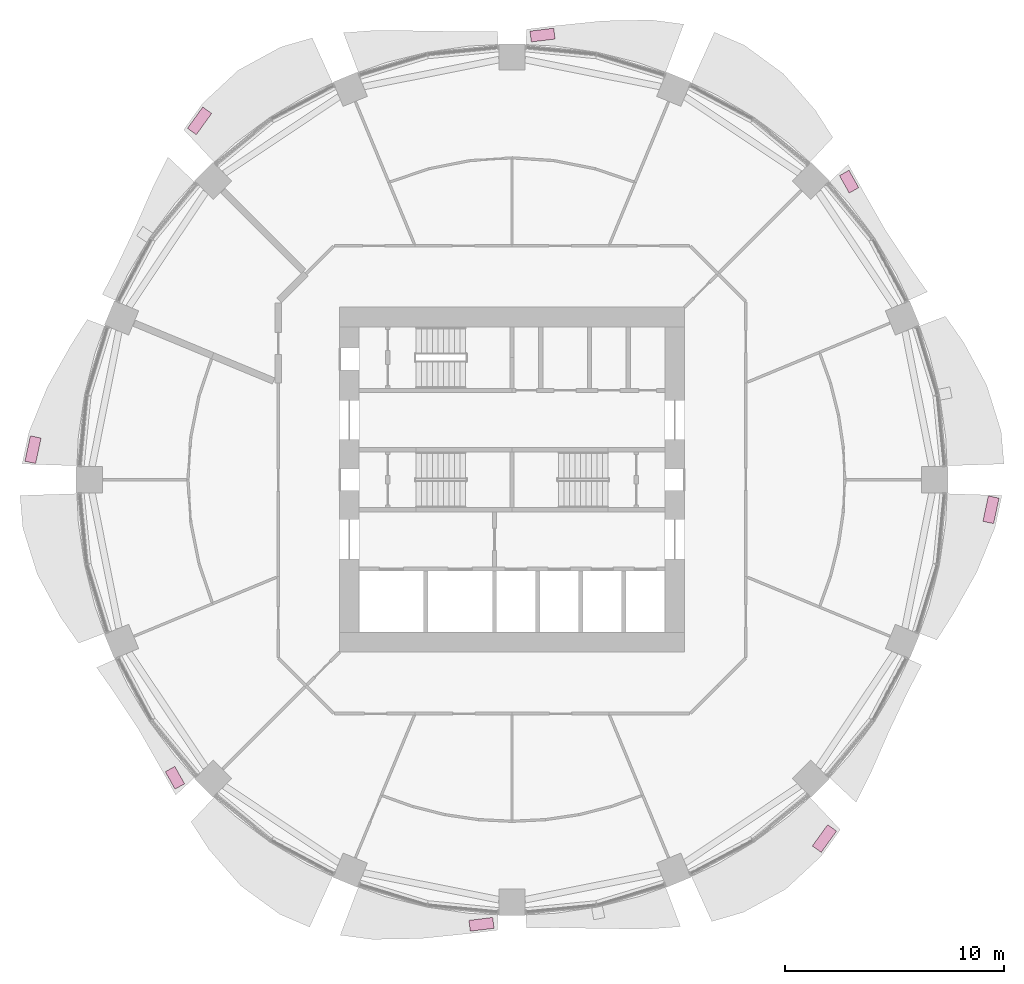
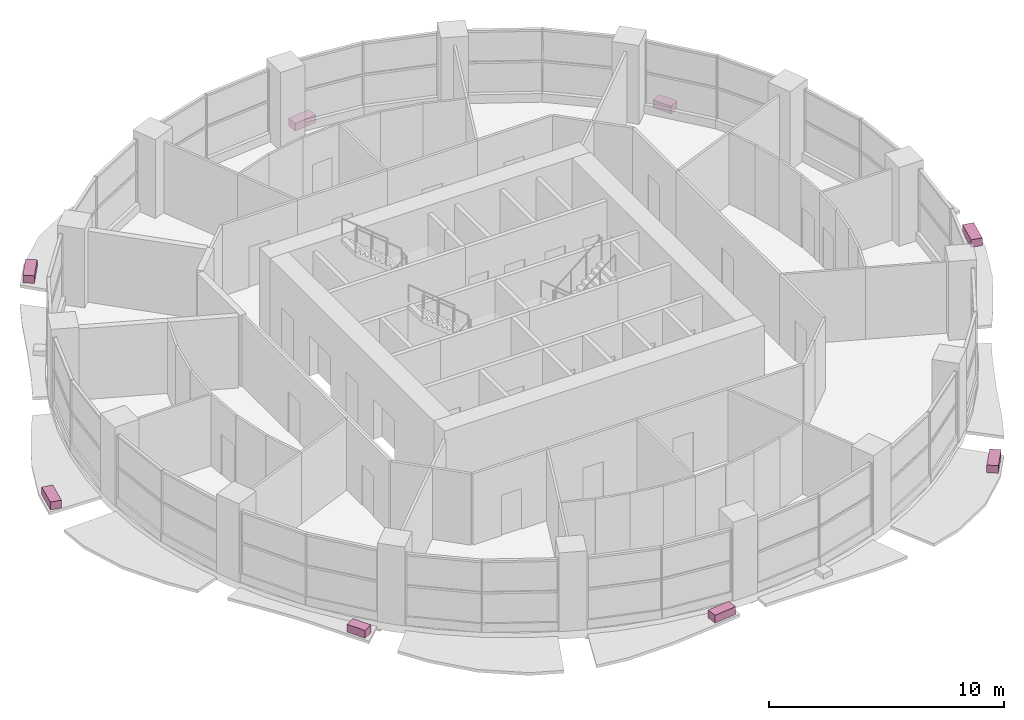
# One storey, part 14 of 14: 8 furniture elements.
"""IFC4 building model written with IfcOpenShell, lengths in metres."""

from ifc_helpers import new_model, si_unit, direction, frame, origin, origin_2d, place, context, subcontext, project, spatial, rectangle, extrude, material, type_object, element, save


model = new_model("IFC4")

# Units and contexts
model_context = context("Model", 3, precision=1e-05, world=origin(), true_north=direction((0.0, 1.0)))
body_context = subcontext(model_context, "Body", "Model", "MODEL_VIEW")
ifc_project = project(units=[si_unit("LENGTHUNIT", "METRE"), si_unit("AREAUNIT", "SQUARE_METRE"), si_unit("VOLUMEUNIT", "CUBIC_METRE"), si_unit("PLANEANGLEUNIT", "RADIAN"), si_unit("MASSUNIT", "GRAM", prefix="KILO")], contexts=[model_context])

# Site, building, storey
site_placement = place(None, origin())
site = spatial("IfcSite", under=ifc_project, at=site_placement, CompositionType="ELEMENT")
building_placement = place(site_placement, origin())
building = spatial("IfcBuilding", under=site, at=building_placement, Name="Polderwave Tower", CompositionType="ELEMENT")
storey_placement = place(building_placement, frame((0.0, 0.0, 14.39990234375)))
storey = spatial("IfcBuildingStorey", under=building, at=storey_placement, Name="L03", CompositionType="ELEMENT", Elevation=14.39990234375)

# Furniture
ifc_material = material(Name="Terracotta", Category="masonry")
furniture_type = type_object("IfcFurnitureType", Name="Terracotta planting trough", AssemblyPlace="NOTDEFINED", PredefinedType="USERDEFINED", material=ifc_material)
furniture_1_placement = place(storey_placement, frame((15.384521484375, 13.603759765625, -0.249755859375), z_axis=(0.0, 0.0, 1.0), x_axis=(-0.488811578968, 0.872389385692, 0.0)))
element("IfcFurniture", 1, at=furniture_1_placement, inside=storey, type_object=furniture_type, Name="Planting trough L03 2", ObjectType="PLANTER", PredefinedType="USERDEFINED", context=body_context, shape_type="SweptSolid", body=[
    extrude(rectangle(XDim=0.9111328125, YDim=0.5, at=origin_2d()), origin(), (0.0, 0.0, 1.0), 0.39990234375),
])
furniture_2_placement = place(storey_placement, frame((1.392822265625, 20.293212890625, -0.249755859375), z_axis=(0.0, 0.0, 1.0), x_axis=(-0.992665634747, -0.120892256133, 0.0)))
element("IfcFurniture", 2, at=furniture_2_placement, inside=storey, type_object=furniture_type, Name="Planting trough L03 4", ObjectType="PLANTER", PredefinedType="USERDEFINED", context=body_context, shape_type="SweptSolid", body=[
    extrude(rectangle(XDim=1.091552734375, YDim=0.5, at=origin_2d()), origin(), (0.0, 0.0, 1.0), 0.39990234375),
])
furniture_3_placement = place(storey_placement, frame((-14.26025390625, 16.377685546875, -0.249755859375), z_axis=(0.0, 0.0, 1.0), x_axis=(-0.5844989357, -0.811394475065, 0.0)))
element("IfcFurniture", 3, at=furniture_3_placement, inside=storey, type_object=furniture_type, Name="Planting trough L03 6", ObjectType="PLANTER", PredefinedType="USERDEFINED", context=body_context, shape_type="SweptSolid", body=[
    extrude(rectangle(XDim=1.1962890625, YDim=0.5, at=origin_2d()), origin(), (0.0, 0.0, 1.0), 0.39990234375),
])
furniture_4_placement = place(storey_placement, frame((-21.861572265625, 1.37158203125, -0.249755859375), z_axis=(0.0, 0.0, 1.0), x_axis=(-0.209123635506, -0.977889208997, 0.0)))
element("IfcFurniture", 4, at=furniture_4_placement, inside=storey, type_object=furniture_type, Name="Planting trough L03 8", ObjectType="PLANTER", PredefinedType="USERDEFINED", context=body_context, shape_type="SweptSolid", body=[
    extrude(rectangle(XDim=1.186767578125, YDim=0.5, at=origin_2d()), origin(), (0.0, 0.0, 1.0), 0.39990234375),
])
furniture_5_placement = place(storey_placement, frame((-15.384521484375, -13.603759765625, -0.249755859375), z_axis=(0.0, 0.0, 1.0), x_axis=(0.488811578968, -0.872389385692, 0.0)))
element("IfcFurniture", 5, at=furniture_5_placement, inside=storey, type_object=furniture_type, Name="Planting trough L03 10", ObjectType="PLANTER", PredefinedType="USERDEFINED", context=body_context, shape_type="SweptSolid", body=[
    extrude(rectangle(XDim=0.9111328125, YDim=0.5, at=origin_2d()), origin(), (0.0, 0.0, 1.0), 0.39990234375),
])
furniture_6_placement = place(storey_placement, frame((-1.392822265625, -20.293212890625, -0.249755859375), z_axis=(0.0, 0.0, 1.0), x_axis=(0.992665634747, 0.120892256133, 0.0)))
element("IfcFurniture", 6, at=furniture_6_placement, inside=storey, type_object=furniture_type, Name="Planting trough L03 12", ObjectType="PLANTER", PredefinedType="USERDEFINED", context=body_context, shape_type="SweptSolid", body=[
    extrude(rectangle(XDim=1.091552734375, YDim=0.5, at=origin_2d()), origin(), (0.0, 0.0, 1.0), 0.39990234375),
])
furniture_7_placement = place(storey_placement, frame((14.26025390625, -16.377685546875, -0.249755859375), z_axis=(0.0, 0.0, 1.0), x_axis=(0.5844989357, 0.811394475065, 0.0)))
element("IfcFurniture", 7, at=furniture_7_placement, inside=storey, type_object=furniture_type, Name="Planting trough L03 14", ObjectType="PLANTER", PredefinedType="USERDEFINED", context=body_context, shape_type="SweptSolid", body=[
    extrude(rectangle(XDim=1.1962890625, YDim=0.5, at=origin_2d()), origin(), (0.0, 0.0, 1.0), 0.39990234375),
])
furniture_8_placement = place(storey_placement, frame((21.861572265625, -1.37158203125, -0.249755859375), z_axis=(0.0, 0.0, 1.0), x_axis=(0.209123635506, 0.977889208997, 0.0)))
element("IfcFurniture", 8, at=furniture_8_placement, inside=storey, type_object=furniture_type, Name="Planting trough L03 16", ObjectType="PLANTER", PredefinedType="USERDEFINED", context=body_context, shape_type="SweptSolid", body=[
    extrude(rectangle(XDim=1.186767578125, YDim=0.5, at=origin_2d()), origin(), (0.0, 0.0, 1.0), 0.39990234375),
])

save(model, "model.ifc")
